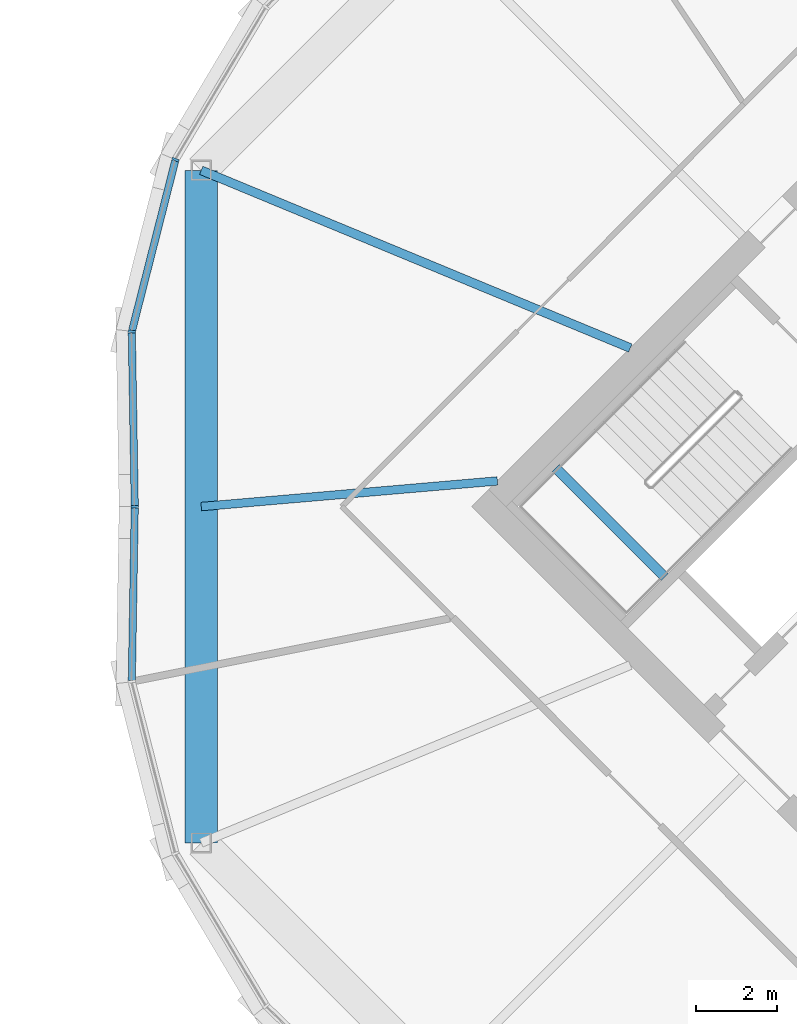
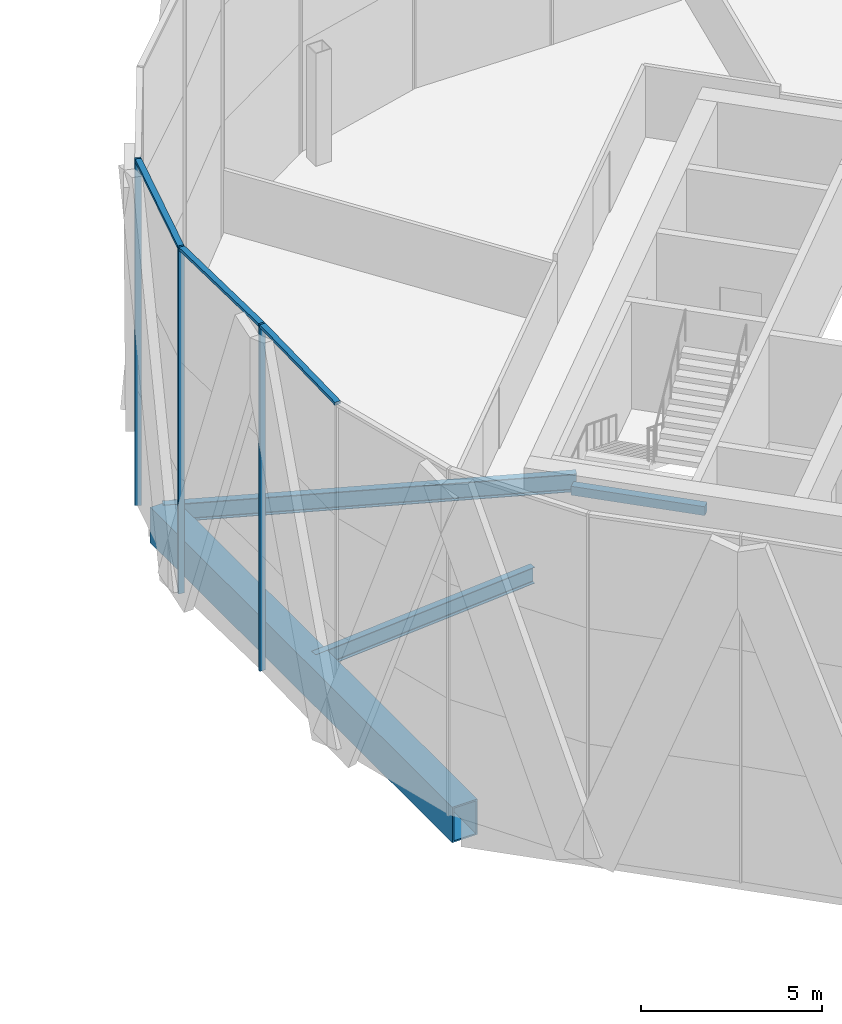
# One storey, part 9 of 23: 6 members, 4 beams, 2 elements without a shape of their own.
"""IFC4 building model written with IfcOpenShell, lengths in metres."""

from ifc_helpers import new_model, si_unit, direction, frame, origin, origin_2d, place, context, subcontext, project, spatial, rectangle, hollow_rectangle, i_section, extrude, material, material_profile, profile_set, type_object, element, aggregate, save


model = new_model("IFC4")

# Units and contexts
model_context = context("Model", 3, precision=1e-05, world=origin(), true_north=direction((0.0, 1.0)))
body_context = subcontext(model_context, "Body", "Model", "MODEL_VIEW")
ifc_project = project(units=[si_unit("LENGTHUNIT", "METRE"), si_unit("AREAUNIT", "SQUARE_METRE"), si_unit("VOLUMEUNIT", "CUBIC_METRE"), si_unit("PLANEANGLEUNIT", "RADIAN"), si_unit("MASSUNIT", "GRAM", prefix="KILO")], contexts=[model_context])

# Site, building, storey
site_placement = place(None, origin())
site = spatial("IfcSite", under=ifc_project, at=site_placement, CompositionType="ELEMENT")
building_placement = place(site_placement, origin())
building = spatial("IfcBuilding", under=site, at=building_placement, Name="Ogive Gate Towers", CompositionType="ELEMENT")
storey_placement = place(building_placement, frame((0.0, 0.0, 177.300048828125)))
storey = spatial("IfcBuildingStorey", under=building, at=storey_placement, Name="L42", CompositionType="ELEMENT", Elevation=177.300048828125)

# Beams
ifc_material_1 = material(Name="Steel SM460", Category="steel")
ifc_material_profile_1 = material_profile(ifc_material_1, hollow_rectangle(XDim=0.800048828125, YDim=1.199951171875, WallThickness=0.050048828125, at=origin_2d()), Name="BX 1200x800x50")
ifc_profile_set_1 = profile_set([ifc_material_profile_1], Name="Steel SM460")
beam_type_1 = type_object("IfcBeamType", Name="Edge girder BX 1200x800x50", PredefinedType="BEAM", material=ifc_profile_set_1)
beam_1_placement = place(storey_placement, frame((15.85009765625, 8.346435546875, -0.900146484375), z_axis=(0.0, -1.0, 0.0), x_axis=(1.0, 0.0, 0.0)))
element("IfcBeam", 1, at=beam_1_placement, inside=storey, type_object=beam_type_1, Name="T2/L42/SBM024", PredefinedType="BEAM", context=body_context, shape_type="SweptSolid", body=[
    extrude(hollow_rectangle(XDim=0.800048828125, YDim=1.199951171875, WallThickness=0.050048828125, at=origin_2d()), origin(), (0.0, 0.0, 1.0), 16.69287109375),
])
ifc_material_2 = material(Name="Concrete C40/50", Category="concrete")
ifc_material_profile_2 = material_profile(ifc_material_2, rectangle(XDim=0.25, YDim=0.300048828125, at=origin_2d()), Name="RC 250x300")
ifc_profile_set_2 = profile_set([ifc_material_profile_2], Name="Concrete C40/50")
beam_type_2 = type_object("IfcBeamType", Name="Landing bearer RC 250x300", PredefinedType="BEAM", material=ifc_profile_set_2)
beam_2_placement = place(storey_placement, frame((24.650390625, 0.9541015625, 1.599853515625), z_axis=(0.707106781187, -0.707106781187, 0.0), x_axis=(0.707106781187, 0.707106781187, 0.0)))
element("IfcBeam", 2, at=beam_2_placement, inside=storey, type_object=beam_type_2, Name="T2 L42 stair 1 landing bearer 1", PredefinedType="BEAM", context=body_context, shape_type="SweptSolid", body=[
    extrude(rectangle(XDim=0.25, YDim=0.300048828125, at=origin_2d()), origin(), (0.0, 0.0, 1.0), 3.824951171875),
])
ifc_material_3 = material(Name="Steel SM355", Category="steel")
ifc_material_profile_3 = material_profile(ifc_material_3, i_section(OverallWidth=0.2099609375, OverallDepth=0.550048828125, WebThickness=0.010986328125, FlangeThickness=0.01708984375, FilletRadius=0.02392578125, at=origin_2d()), Name="IPE 550")
ifc_profile_set_3 = profile_set([ifc_material_profile_3], Name="Steel SM355")
beam_type_3 = type_object("IfcBeamType", Name="Radial floor beam IPE 550", PredefinedType="BEAM", material=ifc_profile_set_3)
beam_3_placement = place(storey_placement, frame((23.201416015625, 0.636474609375, -0.574951171875), z_axis=(-0.996272922339, -0.086256966176, 0.0), x_axis=(0.086256966176, -0.996272922339, 0.0)))
element("IfcBeam", 3, at=beam_3_placement, inside=storey, type_object=beam_type_3, Name="T2/L42/SBM016", PredefinedType="BEAM", context=body_context, shape_type="SweptSolid", body=[
    extrude(i_section(OverallWidth=0.2099609375, OverallDepth=0.550048828125, WebThickness=0.010986328125, FlangeThickness=0.01708984375, FilletRadius=0.02392578125, at=origin_2d()), origin(), (0.0, 0.0, 1.0), 7.37890625),
])
ifc_material_profile_4 = material_profile(ifc_material_3, i_section(OverallWidth=0.219970703125, OverallDepth=0.60009765625, WebThickness=0.011962890625, FlangeThickness=0.01904296875, FilletRadius=0.02392578125, at=origin_2d()), Name="IPE 600")
ifc_profile_set_4 = profile_set([ifc_material_profile_4], Name="Steel SM355")
beam_type_4 = type_object("IfcBeamType", Name="Radial floor beam IPE 600", PredefinedType="BEAM", material=ifc_profile_set_4)
beam_4_placement = place(storey_placement, frame((26.5, 3.93505859375, -0.60009765625), z_axis=(-0.923878214756, 0.382686613691, 0.0), x_axis=(-0.382686613691, -0.923878214756, 0.0)))
element("IfcBeam", 4, at=beam_4_placement, inside=storey, type_object=beam_type_4, Name="T2/L42/SBM015", PredefinedType="BEAM", context=body_context, shape_type="SweptSolid", body=[
    extrude(i_section(OverallWidth=0.219970703125, OverallDepth=0.60009765625, WebThickness=0.011962890625, FlangeThickness=0.01904296875, FilletRadius=0.02392578125, at=origin_2d()), origin(), (0.0, 0.0, 1.0), 11.52734375),
])

# Curtain wall, members
ifc_material_4 = material(Name="Pale metal aluminium", Category="aluminium")
curtain_wall_type = type_object("IfcCurtainWallType", Name="Tower unitised wall, high zone", PredefinedType="NOTDEFINED", material=ifc_material_4)
curtain_wall_1_placement = place(storey_placement, origin())
curtain_wall_1 = element("IfcCurtainWall", 5, at=curtain_wall_1_placement, inside=storey, type_object=curtain_wall_type, Name="CW2 T2 ECW04", PredefinedType="NOTDEFINED")
ifc_material_profile_5 = material_profile(ifc_material_4, rectangle(XDim=0.179931640625, YDim=0.06005859375, at=origin_2d()), Name="60 x 180 aluminium box")
ifc_profile_set_5 = profile_set([ifc_material_profile_5], Name="Pale metal aluminium")
member_type_1 = type_object("IfcMemberType", Name="Tower unitised wall, high zone mullion 60 x 180", PredefinedType="MULLION", material=ifc_profile_set_5)
member_1_placement = place(storey_placement, frame((15.211669921875, 8.61083984375, -0.300048828125), z_axis=(0.0, 0.0, 1.0), x_axis=(-0.923879532511, 0.382683432365, 0.0)))
member_1 = element("IfcMember", 6, at=member_1_placement, type_object=member_type_1, Name="CW2 mullion", PredefinedType="MULLION", context=body_context, shape_type="SweptSolid", body=[
    extrude(rectangle(XDim=0.179931640625, YDim=0.06005859375, at=origin_2d()), origin(), (0.0, 0.0, 1.0), 11.699951171875),
])
member_2_placement = place(storey_placement, frame((14.12646484375, 4.343505859375, -0.300048828125), z_axis=(0.0, 0.0, 1.0), x_axis=(-0.993272085779, 0.115803987891, 0.0)))
member_2 = element("IfcMember", 7, at=member_2_placement, type_object=member_type_1, Name="CW2 mullion", PredefinedType="MULLION", context=body_context, shape_type="SweptSolid", body=[
    extrude(rectangle(XDim=0.179931640625, YDim=0.06005859375, at=origin_2d()), origin(), (0.0, 0.0, 1.0), 11.699951171875),
])
member_3_placement = place(storey_placement, frame((14.199951171875, 0.000244140625, -0.300048828125), z_axis=(0.0, 0.0, 1.0), x_axis=(-0.99985699147, -0.016911434246, 0.0)))
member_3 = element("IfcMember", 8, at=member_3_placement, type_object=member_type_1, Name="CW2 mullion", PredefinedType="MULLION", context=body_context, shape_type="SweptSolid", body=[
    extrude(rectangle(XDim=0.179931640625, YDim=0.06005859375, at=origin_2d()), origin(), (0.0, 0.0, 1.0), 11.699951171875),
])
ifc_material_profile_6 = material_profile(ifc_material_4, rectangle(XDim=0.179931640625, YDim=0.10009765625, at=origin_2d()), Name="100 x 180 aluminium box")
ifc_profile_set_6 = profile_set([ifc_material_profile_6], Name="Pale metal aluminium")
member_type_2 = type_object("IfcMemberType", Name="Tower unitised wall, high zone transom 100 x 180", PredefinedType="USERDEFINED", material=ifc_profile_set_6)
member_4_placement = place(storey_placement, frame((15.204833984375, 8.5830078125, 11.349853515625), z_axis=(-0.246498942099, -0.969143060412, 0.0), x_axis=(0.969143060412, -0.246498942099, 0.0)))
member_4 = element("IfcMember", 9, at=member_4_placement, type_object=member_type_2, Name="CW2 transom", ObjectType="TRANSOM", PredefinedType="USERDEFINED", context=body_context, shape_type="SweptSolid", body=[
    extrude(rectangle(XDim=0.179931640625, YDim=0.10009765625, at=origin_2d()), origin(), (0.0, 0.0, 1.0), 4.345947265625),
])
member_5_placement = place(storey_placement, frame((14.126953125, 4.314697265625, 11.349853515625), z_axis=(0.016921618058, -0.999856819171, 0.0), x_axis=(0.999856819171, 0.016921618058, 0.0)))
member_5 = element("IfcMember", 10, at=member_5_placement, type_object=member_type_2, Name="CW2 transom", ObjectType="TRANSOM", PredefinedType="USERDEFINED", context=body_context, shape_type="SweptSolid", body=[
    extrude(rectangle(XDim=0.179931640625, YDim=0.10009765625, at=origin_2d()), origin(), (0.0, 0.0, 1.0), 4.28515625),
])
aggregate(curtain_wall_1, [member_1, member_2, member_4, member_3, member_5])

# Curtain wall, member
curtain_wall_2_placement = place(storey_placement, origin())
curtain_wall_2 = element("IfcCurtainWall", 11, at=curtain_wall_2_placement, inside=storey, type_object=curtain_wall_type, Name="CW2 T2 ECW05", PredefinedType="NOTDEFINED")
member_6_placement = place(storey_placement, frame((14.199462890625, -0.0302734375, 11.349853515625), z_axis=(-0.016921618058, -0.999856819171, 0.0), x_axis=(0.999856819171, -0.016921618058, 0.0)))
member_6 = element("IfcMember", 12, at=member_6_placement, type_object=member_type_2, Name="CW2 transom", ObjectType="TRANSOM", PredefinedType="USERDEFINED", context=body_context, shape_type="SweptSolid", body=[
    extrude(rectangle(XDim=0.179931640625, YDim=0.10009765625, at=origin_2d()), origin(), (0.0, 0.0, 1.0), 4.28515625),
])
aggregate(curtain_wall_2, [member_6])

save(model, "model.ifc")
